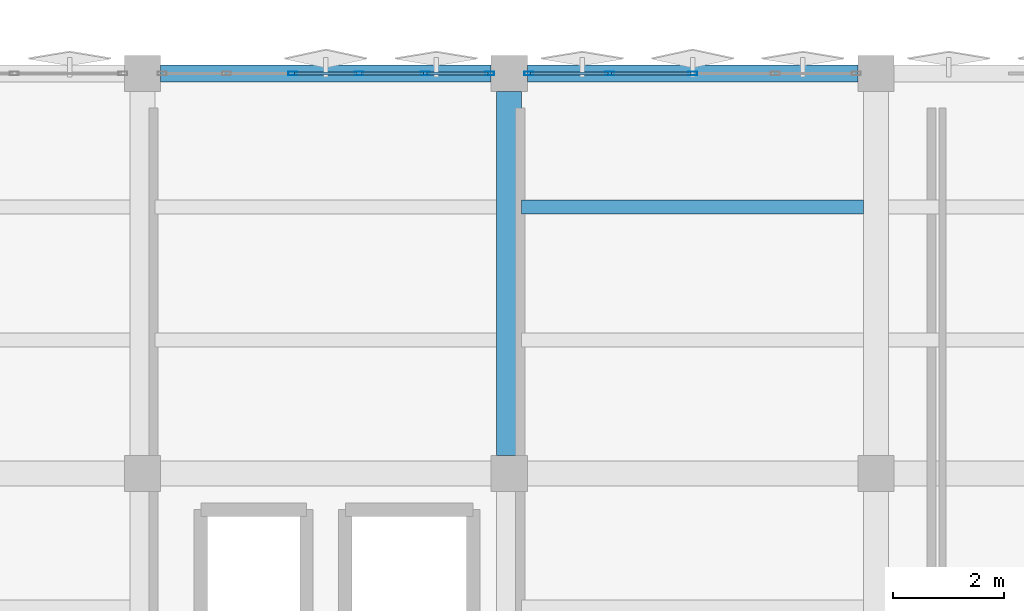
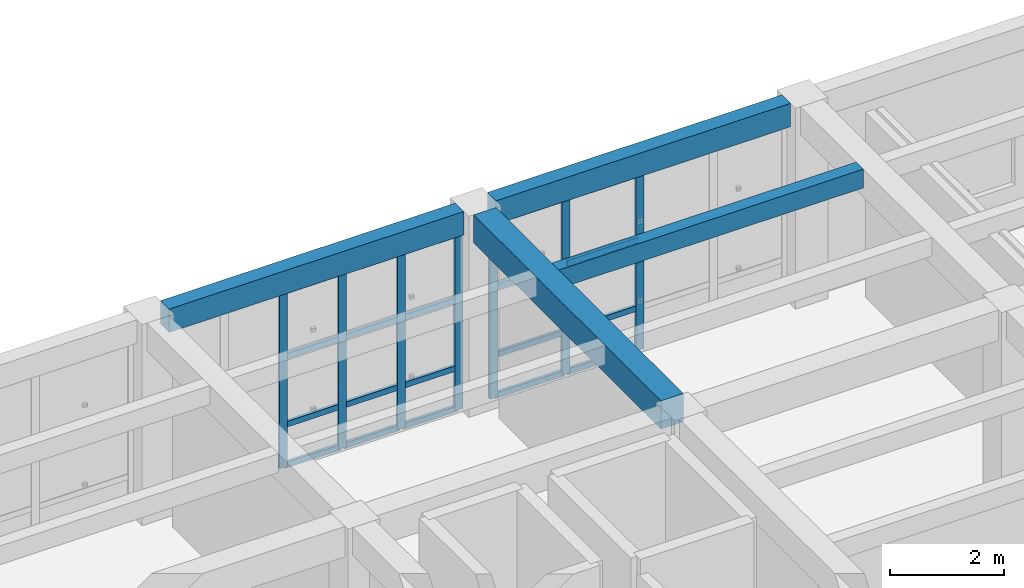
# One storey, part 23 of 48: 27 members, 4 beams, 2 elements without a shape of their own.
"""IFC4 building model written with IfcOpenShell, lengths in metres."""

from ifc_helpers import new_model, si_unit, direction, frame, origin, origin_2d, place, context, subcontext, project, spatial, rectangle, hollow_rectangle, extrude, material, layer, layer_set, material_profile, profile_set, type_object, element, aggregate, save


model = new_model("IFC4")

# Units and contexts
model_context = context("Model", 3, precision=1e-05, world=origin(), true_north=direction((0.0, 1.0)))
body_context = subcontext(model_context, "Body", "Model", "MODEL_VIEW")
ifc_project = project(units=[si_unit("LENGTHUNIT", "METRE"), si_unit("AREAUNIT", "SQUARE_METRE"), si_unit("VOLUMEUNIT", "CUBIC_METRE"), si_unit("PLANEANGLEUNIT", "RADIAN"), si_unit("MASSUNIT", "GRAM", prefix="KILO")], contexts=[model_context])

# Site, building, storey
site_placement = place(None, origin())
site = spatial("IfcSite", under=ifc_project, at=site_placement, CompositionType="ELEMENT")
building_placement = place(site_placement, origin())
building = spatial("IfcBuilding", under=site, at=building_placement, Name="Kharisveld Research Institute", CompositionType="ELEMENT")
storey_placement = place(building_placement, frame((0.0, 0.0, 14.10009765625)))
storey = spatial("IfcBuildingStorey", under=building, at=storey_placement, Name="L03", CompositionType="ELEMENT", Elevation=14.10009765625)

# Beam
ifc_material_1 = material(Name="Concrete C40/50", Category="concrete")
ifc_material_profile_1 = material_profile(ifc_material_1, rectangle(XDim=0.449951171875, YDim=0.60009765625, at=origin_2d()))
ifc_profile_set_1 = profile_set([ifc_material_profile_1], Name="Concrete C40/50")
beam_type_1 = type_object("IfcBeamType", Name="BM_RC_450x600", PredefinedType="BEAM", material=ifc_profile_set_1)
beam_1_placement = place(storey_placement, frame((141.0, 53.925048828125, 3.989990234375), z_axis=(0.0, 1.0, 0.0), x_axis=(-1.0, 0.0, 0.0)))
element("IfcBeam", 1, at=beam_1_placement, inside=storey, type_object=beam_type_1, Name="BM:V2:L03:V4_2", PredefinedType="BEAM", context=body_context, shape_type="SweptSolid", body=[
    extrude(rectangle(XDim=0.449951171875, YDim=0.60009765625, at=origin_2d()), origin(), (0.0, 0.0, 1.0), 6.550048828125),
])

# Curtain wall, members
ifc_material_2 = material(Name="Thermally Broken Aluminium Curtain Wall", Category="aluminium")
ifc_layer_1 = layer(ifc_material_2, 0.159912109375)
ifc_layer_set_1 = layer_set([ifc_layer_1], Name="CW_SYS_01")
curtain_wall_type_1 = type_object("IfcCurtainWallType", Name="CW_SYS_01", PredefinedType="NOTDEFINED", material=ifc_layer_set_1)
curtain_wall_1_placement = place(storey_placement, origin())
curtain_wall_1 = element("IfcCurtainWall", 2, at=curtain_wall_1_placement, inside=storey, type_object=curtain_wall_type_1, Name="CW:V2:L03:N3", PredefinedType="NOTDEFINED")
ifc_material_3 = material(Name="Anodised Aluminium AW-6063-T6", Category="aluminium")
ifc_material_profile_2 = material_profile(ifc_material_3, hollow_rectangle(XDim=0.06494140625, YDim=0.159912109375, WallThickness=0.00390625, at=origin_2d()))
ifc_profile_set_2 = profile_set([ifc_material_profile_2], Name="Anodised Aluminium AW-6063-T6")
member_type_1 = type_object("IfcMemberType", Name="CW_MUL_160", PredefinedType="MULLION", material=ifc_profile_set_2)
member_1_placement = place(storey_placement, frame((137.10400390625, 60.800048828125, 0.0), z_axis=(0.0, 0.0, 1.0), x_axis=(0.0, 1.0, 0.0)))
member_1 = element("IfcMember", 3, at=member_1_placement, type_object=member_type_1, Name="CW-01 mullion 3", PredefinedType="MULLION", context=body_context, shape_type="SweptSolid", body=[
    extrude(hollow_rectangle(XDim=0.06494140625, YDim=0.159912109375, WallThickness=0.00390625, at=origin_2d()), origin(), (0.0, 0.0, 1.0), 3.77978515625),
])
member_2_placement = place(storey_placement, frame((138.2958984375, 60.800048828125, 0.0), z_axis=(0.0, 0.0, 1.0), x_axis=(0.0, 1.0, 0.0)))
member_2 = element("IfcMember", 4, at=member_2_placement, type_object=member_type_1, Name="CW-01 mullion 4", PredefinedType="MULLION", context=body_context, shape_type="SweptSolid", body=[
    extrude(hollow_rectangle(XDim=0.06494140625, YDim=0.159912109375, WallThickness=0.00390625, at=origin_2d()), origin(), (0.0, 0.0, 1.0), 3.77978515625),
])
member_3_placement = place(storey_placement, frame((139.488037109375, 60.800048828125, 0.0), z_axis=(0.0, 0.0, 1.0), x_axis=(0.0, 1.0, 0.0)))
member_3 = element("IfcMember", 5, at=member_3_placement, type_object=member_type_1, Name="CW-01 mullion 5", PredefinedType="MULLION", context=body_context, shape_type="SweptSolid", body=[
    extrude(hollow_rectangle(XDim=0.06494140625, YDim=0.159912109375, WallThickness=0.00390625, at=origin_2d()), origin(), (0.0, 0.0, 1.0), 3.77978515625),
])
member_4_placement = place(storey_placement, frame((140.6474609375, 60.800048828125, 0.0), z_axis=(0.0, 0.0, 1.0), x_axis=(0.0, 1.0, 0.0)))
member_4 = element("IfcMember", 6, at=member_4_placement, type_object=member_type_1, Name="CW-01 mullion 6", PredefinedType="MULLION", context=body_context, shape_type="SweptSolid", body=[
    extrude(hollow_rectangle(XDim=0.06494140625, YDim=0.159912109375, WallThickness=0.00390625, at=origin_2d()), origin(), (0.0, 0.0, 1.0), 3.77978515625),
])

ifc_material_4 = material(Name="Thermally Broken Aluminium Curtain Wall", Category="aluminium")
ifc_layer_2 = layer(ifc_material_4, 0.159912109375)
ifc_layer_set_2 = layer_set([ifc_layer_2], Name="CW_SYS_02")
curtain_wall_type_2 = type_object("IfcCurtainWallType", Name="CW_SYS_02", PredefinedType="NOTDEFINED", material=ifc_layer_set_2)
curtain_wall_2_placement = place(storey_placement, origin())
curtain_wall_2 = element("IfcCurtainWall", 7, at=curtain_wall_2_placement, inside=storey, type_object=curtain_wall_type_2, Name="CW:V2:L03:N4", PredefinedType="NOTDEFINED")
member_5_placement = place(storey_placement, frame((141.3525390625, 60.800048828125, 0.0), z_axis=(0.0, 0.0, 1.0), x_axis=(0.0, 1.0, 0.0)))
member_5 = element("IfcMember", 8, at=member_5_placement, type_object=member_type_1, Name="CW-02 mullion 1", PredefinedType="MULLION", context=body_context, shape_type="SweptSolid", body=[
    extrude(hollow_rectangle(XDim=0.06494140625, YDim=0.159912109375, WallThickness=0.00390625, at=origin_2d()), origin(), (0.0, 0.0, 1.0), 3.77978515625),
])
member_6_placement = place(storey_placement, frame((142.81005859375, 60.800048828125, 0.0), z_axis=(0.0, 0.0, 1.0), x_axis=(0.0, 1.0, 0.0)))
member_6 = element("IfcMember", 9, at=member_6_placement, type_object=member_type_1, Name="CW-02 mullion 2", PredefinedType="MULLION", context=body_context, shape_type="SweptSolid", body=[
    extrude(hollow_rectangle(XDim=0.06494140625, YDim=0.159912109375, WallThickness=0.00390625, at=origin_2d()), origin(), (0.0, 0.0, 1.0), 3.77978515625),
])
member_7_placement = place(storey_placement, frame((144.300048828125, 60.800048828125, 0.0), z_axis=(0.0, 0.0, 1.0), x_axis=(0.0, 1.0, 0.0)))
member_7 = element("IfcMember", 10, at=member_7_placement, type_object=member_type_1, Name="CW-02 mullion 3", PredefinedType="MULLION", context=body_context, shape_type="SweptSolid", body=[
    extrude(hollow_rectangle(XDim=0.06494140625, YDim=0.159912109375, WallThickness=0.00390625, at=origin_2d()), origin(), (0.0, 0.0, 1.0), 3.77978515625),
])

# Member
ifc_material_5 = material(Name="Anodised Aluminium AW-6063-T6", Category="aluminium")
ifc_material_profile_3 = material_profile(ifc_material_5, hollow_rectangle(XDim=0.06005859375, YDim=0.1201171875, WallThickness=0.00390625, at=origin_2d()))
ifc_profile_set_3 = profile_set([ifc_material_profile_3], Name="Anodised Aluminium AW-6063-T6")
member_type_2 = type_object("IfcMemberType", Name="CW_TRN_120", PredefinedType="USERDEFINED", material=ifc_profile_set_3)
member_8_placement = place(storey_placement, frame((137.136474609375, 60.800048828125, 0.02978515625), z_axis=(1.0, 0.0, 0.0), x_axis=(0.0, 1.0, 0.0)))
member_8 = element("IfcMember", 11, at=member_8_placement, type_object=member_type_2, Name="CW-01 transom 3.1", ObjectType="TRANSOM", PredefinedType="USERDEFINED", context=body_context, shape_type="SweptSolid", body=[
    extrude(hollow_rectangle(XDim=0.06005859375, YDim=0.1201171875, WallThickness=0.00390625, at=origin_2d()), origin(), (0.0, 0.0, 1.0), 1.126953125),
])

member_9_placement = place(storey_placement, frame((137.136474609375, 60.800048828125, 0.89990234375), z_axis=(1.0, 0.0, 0.0), x_axis=(0.0, 1.0, 0.0)))
member_9 = element("IfcMember", 12, at=member_9_placement, type_object=member_type_2, Name="CW-01 transom 3.2", ObjectType="TRANSOM", PredefinedType="USERDEFINED", context=body_context, shape_type="SweptSolid", body=[
    extrude(hollow_rectangle(XDim=0.06005859375, YDim=0.1201171875, WallThickness=0.00390625, at=origin_2d()), origin(), (0.0, 0.0, 1.0), 1.126953125),
])

member_10_placement = place(storey_placement, frame((137.136474609375, 60.800048828125, 2.349853515625), z_axis=(1.0, 0.0, 0.0), x_axis=(0.0, 1.0, 0.0)))
member_10 = element("IfcMember", 13, at=member_10_placement, type_object=member_type_2, Name="CW-01 transom 3.3", ObjectType="TRANSOM", PredefinedType="USERDEFINED", context=body_context, shape_type="SweptSolid", body=[
    extrude(hollow_rectangle(XDim=0.06005859375, YDim=0.1201171875, WallThickness=0.00390625, at=origin_2d()), origin(), (0.0, 0.0, 1.0), 1.126953125),
])

member_11_placement = place(storey_placement, frame((137.136474609375, 60.800048828125, 3.75), z_axis=(1.0, 0.0, 0.0), x_axis=(0.0, 1.0, 0.0)))
member_11 = element("IfcMember", 14, at=member_11_placement, type_object=member_type_2, Name="CW-01 transom 3.4", ObjectType="TRANSOM", PredefinedType="USERDEFINED", context=body_context, shape_type="SweptSolid", body=[
    extrude(hollow_rectangle(XDim=0.06005859375, YDim=0.1201171875, WallThickness=0.00390625, at=origin_2d()), origin(), (0.0, 0.0, 1.0), 1.126953125),
])

member_12_placement = place(storey_placement, frame((138.32861328125, 60.800048828125, 0.02978515625), z_axis=(1.0, 0.0, 0.0), x_axis=(0.0, 1.0, 0.0)))
member_12 = element("IfcMember", 15, at=member_12_placement, type_object=member_type_2, Name="CW-01 transom 4.1", ObjectType="TRANSOM", PredefinedType="USERDEFINED", context=body_context, shape_type="SweptSolid", body=[
    extrude(hollow_rectangle(XDim=0.06005859375, YDim=0.1201171875, WallThickness=0.00390625, at=origin_2d()), origin(), (0.0, 0.0, 1.0), 1.126953125),
])

member_13_placement = place(storey_placement, frame((138.32861328125, 60.800048828125, 0.89990234375), z_axis=(1.0, 0.0, 0.0), x_axis=(0.0, 1.0, 0.0)))
member_13 = element("IfcMember", 16, at=member_13_placement, type_object=member_type_2, Name="CW-01 transom 4.2", ObjectType="TRANSOM", PredefinedType="USERDEFINED", context=body_context, shape_type="SweptSolid", body=[
    extrude(hollow_rectangle(XDim=0.06005859375, YDim=0.1201171875, WallThickness=0.00390625, at=origin_2d()), origin(), (0.0, 0.0, 1.0), 1.126953125),
])

member_14_placement = place(storey_placement, frame((138.32861328125, 60.800048828125, 2.349853515625), z_axis=(1.0, 0.0, 0.0), x_axis=(0.0, 1.0, 0.0)))
member_14 = element("IfcMember", 17, at=member_14_placement, type_object=member_type_2, Name="CW-01 transom 4.3", ObjectType="TRANSOM", PredefinedType="USERDEFINED", context=body_context, shape_type="SweptSolid", body=[
    extrude(hollow_rectangle(XDim=0.06005859375, YDim=0.1201171875, WallThickness=0.00390625, at=origin_2d()), origin(), (0.0, 0.0, 1.0), 1.126953125),
])

member_15_placement = place(storey_placement, frame((138.32861328125, 60.800048828125, 3.75), z_axis=(1.0, 0.0, 0.0), x_axis=(0.0, 1.0, 0.0)))
member_15 = element("IfcMember", 18, at=member_15_placement, type_object=member_type_2, Name="CW-01 transom 4.4", ObjectType="TRANSOM", PredefinedType="USERDEFINED", context=body_context, shape_type="SweptSolid", body=[
    extrude(hollow_rectangle(XDim=0.06005859375, YDim=0.1201171875, WallThickness=0.00390625, at=origin_2d()), origin(), (0.0, 0.0, 1.0), 1.126953125),
])

member_16_placement = place(storey_placement, frame((139.5205078125, 60.800048828125, 0.02978515625), z_axis=(1.0, 0.0, 0.0), x_axis=(0.0, 1.0, 0.0)))
member_16 = element("IfcMember", 19, at=member_16_placement, type_object=member_type_2, Name="CW-01 transom 5.1", ObjectType="TRANSOM", PredefinedType="USERDEFINED", context=body_context, shape_type="SweptSolid", body=[
    extrude(hollow_rectangle(XDim=0.06005859375, YDim=0.1201171875, WallThickness=0.00390625, at=origin_2d()), origin(), (0.0, 0.0, 1.0), 1.094482421875),
])

member_17_placement = place(storey_placement, frame((139.5205078125, 60.800048828125, 0.89990234375), z_axis=(1.0, 0.0, 0.0), x_axis=(0.0, 1.0, 0.0)))
member_17 = element("IfcMember", 20, at=member_17_placement, type_object=member_type_2, Name="CW-01 transom 5.2", ObjectType="TRANSOM", PredefinedType="USERDEFINED", context=body_context, shape_type="SweptSolid", body=[
    extrude(hollow_rectangle(XDim=0.06005859375, YDim=0.1201171875, WallThickness=0.00390625, at=origin_2d()), origin(), (0.0, 0.0, 1.0), 1.094482421875),
])

member_18_placement = place(storey_placement, frame((139.5205078125, 60.800048828125, 2.349853515625), z_axis=(1.0, 0.0, 0.0), x_axis=(0.0, 1.0, 0.0)))
member_18 = element("IfcMember", 21, at=member_18_placement, type_object=member_type_2, Name="CW-01 transom 5.3", ObjectType="TRANSOM", PredefinedType="USERDEFINED", context=body_context, shape_type="SweptSolid", body=[
    extrude(hollow_rectangle(XDim=0.06005859375, YDim=0.1201171875, WallThickness=0.00390625, at=origin_2d()), origin(), (0.0, 0.0, 1.0), 1.094482421875),
])

member_19_placement = place(storey_placement, frame((139.5205078125, 60.800048828125, 3.75), z_axis=(1.0, 0.0, 0.0), x_axis=(0.0, 1.0, 0.0)))
member_19 = element("IfcMember", 22, at=member_19_placement, type_object=member_type_2, Name="CW-01 transom 5.4", ObjectType="TRANSOM", PredefinedType="USERDEFINED", context=body_context, shape_type="SweptSolid", body=[
    extrude(hollow_rectangle(XDim=0.06005859375, YDim=0.1201171875, WallThickness=0.00390625, at=origin_2d()), origin(), (0.0, 0.0, 1.0), 1.094482421875),
])

aggregate(curtain_wall_1, [member_1, member_2, member_3, member_4, member_8, member_9, member_10, member_11, member_12, member_13, member_14, member_15, member_16, member_17, member_18, member_19])

member_20_placement = place(storey_placement, frame((141.385009765625, 60.800048828125, 0.02978515625), z_axis=(1.0, 0.0, 0.0), x_axis=(0.0, 1.0, 0.0)))
member_20 = element("IfcMember", 23, at=member_20_placement, type_object=member_type_2, Name="CW-02 transom 1.1", ObjectType="TRANSOM", PredefinedType="USERDEFINED", context=body_context, shape_type="SweptSolid", body=[
    extrude(hollow_rectangle(XDim=0.06005859375, YDim=0.1201171875, WallThickness=0.00390625, at=origin_2d()), origin(), (0.0, 0.0, 1.0), 1.392578125),
])

member_21_placement = place(storey_placement, frame((141.385009765625, 60.800048828125, 0.89990234375), z_axis=(1.0, 0.0, 0.0), x_axis=(0.0, 1.0, 0.0)))
member_21 = element("IfcMember", 24, at=member_21_placement, type_object=member_type_2, Name="CW-02 transom 1.2", ObjectType="TRANSOM", PredefinedType="USERDEFINED", context=body_context, shape_type="SweptSolid", body=[
    extrude(hollow_rectangle(XDim=0.06005859375, YDim=0.1201171875, WallThickness=0.00390625, at=origin_2d()), origin(), (0.0, 0.0, 1.0), 1.392578125),
])

member_22_placement = place(storey_placement, frame((141.385009765625, 60.800048828125, 2.349853515625), z_axis=(1.0, 0.0, 0.0), x_axis=(0.0, 1.0, 0.0)))
member_22 = element("IfcMember", 25, at=member_22_placement, type_object=member_type_2, Name="CW-02 transom 1.3", ObjectType="TRANSOM", PredefinedType="USERDEFINED", context=body_context, shape_type="SweptSolid", body=[
    extrude(hollow_rectangle(XDim=0.06005859375, YDim=0.1201171875, WallThickness=0.00390625, at=origin_2d()), origin(), (0.0, 0.0, 1.0), 1.392578125),
])

member_23_placement = place(storey_placement, frame((141.385009765625, 60.800048828125, 3.75), z_axis=(1.0, 0.0, 0.0), x_axis=(0.0, 1.0, 0.0)))
member_23 = element("IfcMember", 26, at=member_23_placement, type_object=member_type_2, Name="CW-02 transom 1.4", ObjectType="TRANSOM", PredefinedType="USERDEFINED", context=body_context, shape_type="SweptSolid", body=[
    extrude(hollow_rectangle(XDim=0.06005859375, YDim=0.1201171875, WallThickness=0.00390625, at=origin_2d()), origin(), (0.0, 0.0, 1.0), 1.392578125),
])

member_24_placement = place(storey_placement, frame((142.842529296875, 60.800048828125, 0.02978515625), z_axis=(1.0, 0.0, 0.0), x_axis=(0.0, 1.0, 0.0)))
member_24 = element("IfcMember", 27, at=member_24_placement, type_object=member_type_2, Name="CW-02 transom 2.1", ObjectType="TRANSOM", PredefinedType="USERDEFINED", context=body_context, shape_type="SweptSolid", body=[
    extrude(hollow_rectangle(XDim=0.06005859375, YDim=0.1201171875, WallThickness=0.00390625, at=origin_2d()), origin(), (0.0, 0.0, 1.0), 1.425048828125),
])

member_25_placement = place(storey_placement, frame((142.842529296875, 60.800048828125, 0.89990234375), z_axis=(1.0, 0.0, 0.0), x_axis=(0.0, 1.0, 0.0)))
member_25 = element("IfcMember", 28, at=member_25_placement, type_object=member_type_2, Name="CW-02 transom 2.2", ObjectType="TRANSOM", PredefinedType="USERDEFINED", context=body_context, shape_type="SweptSolid", body=[
    extrude(hollow_rectangle(XDim=0.06005859375, YDim=0.1201171875, WallThickness=0.00390625, at=origin_2d()), origin(), (0.0, 0.0, 1.0), 1.425048828125),
])

member_26_placement = place(storey_placement, frame((142.842529296875, 60.800048828125, 2.349853515625), z_axis=(1.0, 0.0, 0.0), x_axis=(0.0, 1.0, 0.0)))
member_26 = element("IfcMember", 29, at=member_26_placement, type_object=member_type_2, Name="CW-02 transom 2.3", ObjectType="TRANSOM", PredefinedType="USERDEFINED", context=body_context, shape_type="SweptSolid", body=[
    extrude(hollow_rectangle(XDim=0.06005859375, YDim=0.1201171875, WallThickness=0.00390625, at=origin_2d()), origin(), (0.0, 0.0, 1.0), 1.425048828125),
])

member_27_placement = place(storey_placement, frame((142.842529296875, 60.800048828125, 3.75), z_axis=(1.0, 0.0, 0.0), x_axis=(0.0, 1.0, 0.0)))
member_27 = element("IfcMember", 30, at=member_27_placement, type_object=member_type_2, Name="CW-02 transom 2.4", ObjectType="TRANSOM", PredefinedType="USERDEFINED", context=body_context, shape_type="SweptSolid", body=[
    extrude(hollow_rectangle(XDim=0.06005859375, YDim=0.1201171875, WallThickness=0.00390625, at=origin_2d()), origin(), (0.0, 0.0, 1.0), 1.425048828125),
])

aggregate(curtain_wall_2, [member_5, member_6, member_7, member_20, member_21, member_22, member_23, member_24, member_25, member_26, member_27])

# Beams
ifc_material_6 = material(Name="Concrete C40/50", Category="concrete")
ifc_material_profile_4 = material_profile(ifc_material_6, rectangle(XDim=0.300048828125, YDim=0.5, at=origin_2d()))
ifc_profile_set_4 = profile_set([ifc_material_profile_4], Name="Concrete C40/50")
beam_type_2 = type_object("IfcBeamType", Name="SP_RC_300x500", PredefinedType="SPANDREL", material=ifc_profile_set_4)
for number, where, z_axis, x_axis, name in (
    (31, (134.72509765625, 60.800048828125, 4.039794921875), (1.0, 0.0, 0.0), (0.0, 1.0, 0.0), "BM:V2:L03:U3_3"),
    (32, (141.324951171875, 60.800048828125, 4.039794921875), (1.0, 0.0, 0.0), (0.0, 1.0, 0.0), "BM:V2:L03:U4_3"),
):
    element("IfcBeam", number, at=place(storey_placement, frame(where, z_axis=z_axis, x_axis=x_axis)), inside=storey, type_object=beam_type_2, Name=name, PredefinedType="SPANDREL", context=body_context, shape_type="SweptSolid", body=[
        extrude(rectangle(XDim=0.300048828125, YDim=0.5, at=origin_2d()), origin(), (0.0, 0.0, 1.0), 5.949951171875),
    ])
ifc_material_7 = material(Name="Concrete C40/50", Category="concrete")
ifc_material_profile_5 = material_profile(ifc_material_7, rectangle(XDim=0.25, YDim=0.39990234375, at=origin_2d()))
ifc_profile_set_5 = profile_set([ifc_material_profile_5], Name="Concrete C40/50")
beam_type_3 = type_object("IfcBeamType", Name="WB_RC_250x400", PredefinedType="JOIST", material=ifc_profile_set_5)
beam_2_placement = place(storey_placement, frame((141.22509765625, 58.39990234375, 4.08984375), z_axis=(1.0, 0.0, 0.0), x_axis=(0.0, 1.0, 0.0)))
element("IfcBeam", 33, at=beam_2_placement, inside=storey, type_object=beam_type_3, Name="BM:V2:L03:J_4_2_R2", PredefinedType="JOIST", context=body_context, shape_type="SweptSolid", body=[
    extrude(rectangle(XDim=0.25, YDim=0.39990234375, at=origin_2d()), origin(), (0.0, 0.0, 1.0), 6.14990234375),
])

save(model, "model.ifc")
